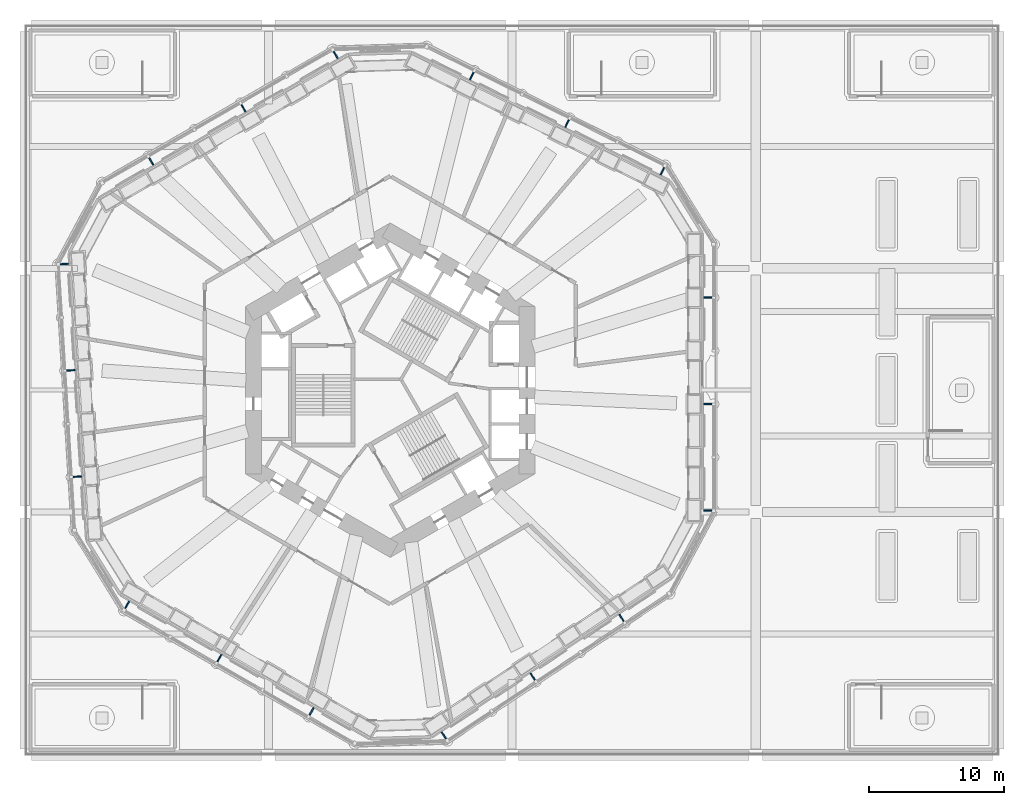
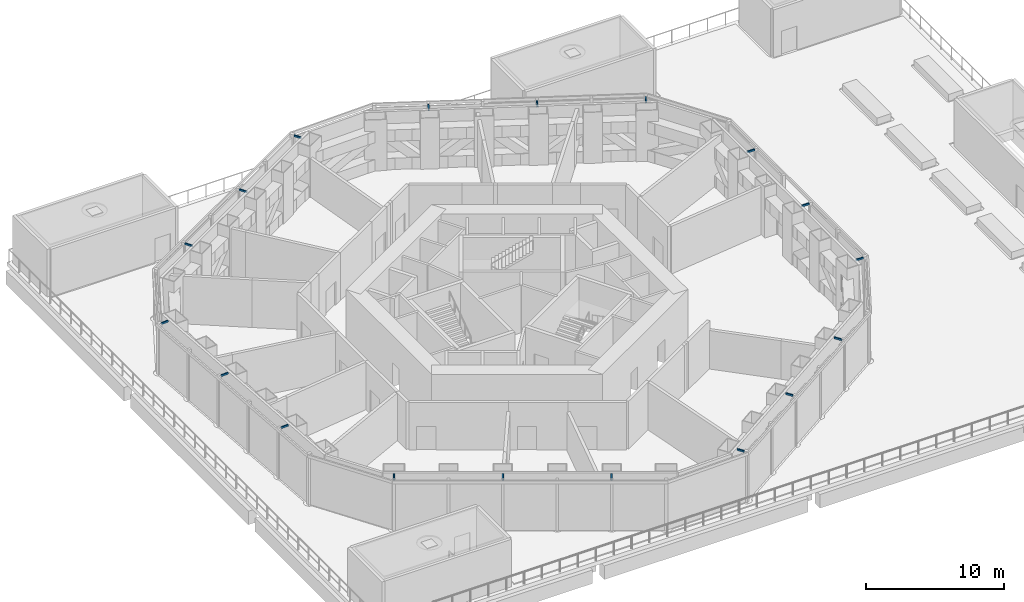
# One storey, part 16 of 20: 18 discrete accessories.
"""IFC4 building model written with IfcOpenShell, lengths in metres."""

from ifc_helpers import new_model, si_unit, direction, frame, origin, origin_2d, place, context, subcontext, project, spatial, rectangle, extrude, material, type_object, element, save


model = new_model("IFC4")

# Units and contexts
model_context = context("Model", 3, precision=1e-05, world=origin(), true_north=direction((0.0, 1.0)))
body_context = subcontext(model_context, "Body", "Model", "MODEL_VIEW")
ifc_project = project(units=[si_unit("LENGTHUNIT", "METRE"), si_unit("AREAUNIT", "SQUARE_METRE"), si_unit("VOLUMEUNIT", "CUBIC_METRE"), si_unit("PLANEANGLEUNIT", "RADIAN"), si_unit("MASSUNIT", "GRAM", prefix="KILO")], contexts=[model_context])

# Site, building, storey
site_placement = place(None, origin())
site = spatial("IfcSite", under=ifc_project, at=site_placement, CompositionType="ELEMENT")
building_placement = place(site_placement, origin())
building = spatial("IfcBuilding", under=site, at=building_placement, Name="Vanh Sen Convention Tower", CompositionType="ELEMENT")
storey_placement = place(building_placement, frame((0.0, 0.0, 34.5)))
storey = spatial("IfcBuildingStorey", under=building, at=storey_placement, Name="L05", CompositionType="ELEMENT", Elevation=34.5)

# Discrete accessories
ifc_material = material(Name="Steel S355", Category="steel")
discrete_accessory_type = type_object("IfcDiscreteAccessoryType", Name="Fin bracket 100 x 150", PredefinedType="BRACKET", material=ifc_material)
discrete_accessory_1_placement = place(storey_placement, frame((23.449951171875, -8.899169921875, 4.300048828125), z_axis=(0.0, 0.0, 1.0), x_axis=(1.0, 0.0, 0.0)))
element("IfcDiscreteAccessory", 1, at=discrete_accessory_1_placement, inside=storey, type_object=discrete_accessory_type, Name="Fin bracket E-1 L05", PredefinedType="BRACKET", context=body_context, shape_type="SweptSolid", body=[
    extrude(rectangle(XDim=0.60009765625, YDim=0.10009765625, at=origin_2d()), origin(), (0.0, 0.0, 1.0), 0.14990234375),
])
for number, where, z_axis, x_axis, name in (
    (2, (23.46240234375, -1.030029296875, 4.300048828125), (0.0, 0.0, 1.0), (1.0, 0.0, 0.0), "Fin bracket E-3 L05"),
    (3, (23.46240234375, 6.839111328125, 4.300048828125), (0.0, 0.0, 1.0), (1.0, 0.0, 0.0), "Fin bracket E-5 L05"),
):
    element("IfcDiscreteAccessory", number, at=place(storey_placement, frame(where, z_axis=z_axis, x_axis=x_axis)), inside=storey, type_object=discrete_accessory_type, Name=name, PredefinedType="BRACKET", context=body_context, shape_type="SweptSolid", body=[
        extrude(rectangle(XDim=0.625, YDim=0.10009765625, at=origin_2d()), origin(), (0.0, 0.0, 1.0), 0.14990234375),
    ])
discrete_accessory_2_placement = place(storey_placement, frame((20.10498046875, 16.178955078125, 4.300048828125), z_axis=(0.0, 0.0, 1.0), x_axis=(0.44619781311, 0.894934361602, 0.0)))
element("IfcDiscreteAccessory", 4, at=discrete_accessory_2_placement, inside=storey, type_object=discrete_accessory_type, Name="Fin bracket NE-1 L05", PredefinedType="BRACKET", context=body_context, shape_type="SweptSolid", body=[
    extrude(rectangle(XDim=0.60009765625, YDim=0.10009765625, at=origin_2d()), origin(), (0.0, 0.0, 1.0), 0.14990234375),
])
for number, where, z_axis, x_axis, name in (
    (5, (13.068359375, 19.701416015625, 4.300048828125), (0.0, 0.0, 1.0), (0.44619781311, 0.894934361602, 0.0), "Fin bracket NE-3 L05"),
    (6, (6.02587890625, 23.212646484375, 4.300048828125), (0.0, 0.0, 1.0), (0.44619781311, 0.894934361602, 0.0), "Fin bracket NE-5 L05"),
):
    element("IfcDiscreteAccessory", number, at=place(storey_placement, frame(where, z_axis=z_axis, x_axis=x_axis)), inside=storey, type_object=discrete_accessory_type, Name=name, PredefinedType="BRACKET", context=body_context, shape_type="SweptSolid", body=[
        extrude(rectangle(XDim=0.625, YDim=0.10009765625, at=origin_2d()), origin(), (0.0, 0.0, 1.0), 0.14990234375),
    ])
discrete_accessory_3_placement = place(storey_placement, frame((-4.01806640625, 24.7578125, 4.300048828125), z_axis=(0.0, 0.0, 1.0), x_axis=(-0.5, 0.866025403784, 0.0)))
element("IfcDiscreteAccessory", 7, at=discrete_accessory_3_placement, inside=storey, type_object=discrete_accessory_type, Name="Fin bracket NW-1 L05", PredefinedType="BRACKET", context=body_context, shape_type="SweptSolid", body=[
    extrude(rectangle(XDim=0.60009765625, YDim=0.10009765625, at=origin_2d()), origin(), (0.0, 0.0, 1.0), 0.14990234375),
])
for number, where, z_axis, x_axis, name in (
    (8, (-10.839111328125, 20.834228515625, 4.300048828125), (0.0, 0.0, 1.0), (-0.5, 0.866025403784, 0.0), "Fin bracket NW-3 L05"),
    (9, (-17.654296875, 16.899658203125, 4.300048828125), (0.0, 0.0, 1.0), (-0.5, 0.866025403784, 0.0), "Fin bracket NW-5 L05"),
):
    element("IfcDiscreteAccessory", number, at=place(storey_placement, frame(where, z_axis=z_axis, x_axis=x_axis)), inside=storey, type_object=discrete_accessory_type, Name=name, PredefinedType="BRACKET", context=body_context, shape_type="SweptSolid", body=[
        extrude(rectangle(XDim=0.625, YDim=0.10009765625, at=origin_2d()), origin(), (0.0, 0.0, 1.0), 0.14990234375),
    ])
discrete_accessory_4_placement = place(storey_placement, frame((-24.06396484375, 9.322021484375, 4.300048828125), z_axis=(0.0, 0.0, 1.0), x_axis=(-0.998134798422, -0.061048539535, 0.0)))
element("IfcDiscreteAccessory", 10, at=discrete_accessory_4_placement, inside=storey, type_object=discrete_accessory_type, Name="Fin bracket W-1 L05", PredefinedType="BRACKET", context=body_context, shape_type="SweptSolid", body=[
    extrude(rectangle(XDim=0.60009765625, YDim=0.10009765625, at=origin_2d()), origin(), (0.0, 0.0, 1.0), 0.14990234375),
])
for number, where, z_axis, x_axis, name in (
    (11, (-23.595947265625, 1.466796875, 4.300048828125), (0.0, 0.0, 1.0), (-0.998134798422, -0.061048539535, 0.0), "Fin bracket W-3 L05"),
    (12, (-23.115478515625, -6.3876953125, 4.300048828125), (0.0, 0.0, 1.0), (-0.998134798422, -0.061048539535, 0.0), "Fin bracket W-5 L05"),
):
    element("IfcDiscreteAccessory", number, at=place(storey_placement, frame(where, z_axis=z_axis, x_axis=x_axis)), inside=storey, type_object=discrete_accessory_type, Name=name, PredefinedType="BRACKET", context=body_context, shape_type="SweptSolid", body=[
        extrude(rectangle(XDim=0.625, YDim=0.10009765625, at=origin_2d()), origin(), (0.0, 0.0, 1.0), 0.14990234375),
    ])
discrete_accessory_5_placement = place(storey_placement, frame((-19.431884765625, -15.858642578125, 4.300048828125), z_axis=(0.0, 0.0, 1.0), x_axis=(-0.5, -0.866025403784, 0.0)))
element("IfcDiscreteAccessory", 13, at=discrete_accessory_5_placement, inside=storey, type_object=discrete_accessory_type, Name="Fin bracket SW-1 L05", PredefinedType="BRACKET", context=body_context, shape_type="SweptSolid", body=[
    extrude(rectangle(XDim=0.60009765625, YDim=0.10009765625, at=origin_2d()), origin(), (0.0, 0.0, 1.0), 0.14990234375),
])
for number, where, z_axis, x_axis, name in (
    (14, (-12.623291015625, -19.80419921875, 4.300048828125), (0.0, 0.0, 1.0), (-0.5, -0.866025403784, 0.0), "Fin bracket SW-3 L05"),
    (15, (-5.808349609375, -23.73876953125, 4.300048828125), (0.0, 0.0, 1.0), (-0.5, -0.866025403784, 0.0), "Fin bracket SW-5 L05"),
):
    element("IfcDiscreteAccessory", number, at=place(storey_placement, frame(where, z_axis=z_axis, x_axis=x_axis)), inside=storey, type_object=discrete_accessory_type, Name=name, PredefinedType="BRACKET", context=body_context, shape_type="SweptSolid", body=[
        extrude(rectangle(XDim=0.625, YDim=0.10009765625, at=origin_2d()), origin(), (0.0, 0.0, 1.0), 0.14990234375),
    ])
discrete_accessory_6_placement = place(storey_placement, frame((3.958740234375, -25.5009765625, 4.300048828125), z_axis=(0.0, 0.0, 1.0), x_axis=(0.551936985312, -0.833885822067, 0.0)))
element("IfcDiscreteAccessory", 16, at=discrete_accessory_6_placement, inside=storey, type_object=discrete_accessory_type, Name="Fin bracket SE-1 L05", PredefinedType="BRACKET", context=body_context, shape_type="SweptSolid", body=[
    extrude(rectangle(XDim=0.60009765625, YDim=0.10009765625, at=origin_2d()), origin(), (0.0, 0.0, 1.0), 0.14990234375),
])
for number, where, z_axis, x_axis, name in (
    (17, (10.527587890625, -21.168212890625, 4.300048828125), (0.0, 0.0, 1.0), (0.551936985312, -0.833885822067, 0.0), "Fin bracket SE-3 L05"),
    (18, (17.089599609375, -16.824951171875, 4.300048828125), (0.0, 0.0, 1.0), (0.551936985312, -0.833885822067, 0.0), "Fin bracket SE-5 L05"),
):
    element("IfcDiscreteAccessory", number, at=place(storey_placement, frame(where, z_axis=z_axis, x_axis=x_axis)), inside=storey, type_object=discrete_accessory_type, Name=name, PredefinedType="BRACKET", context=body_context, shape_type="SweptSolid", body=[
        extrude(rectangle(XDim=0.625, YDim=0.10009765625, at=origin_2d()), origin(), (0.0, 0.0, 1.0), 0.14990234375),
    ])

save(model, "model.ifc")
